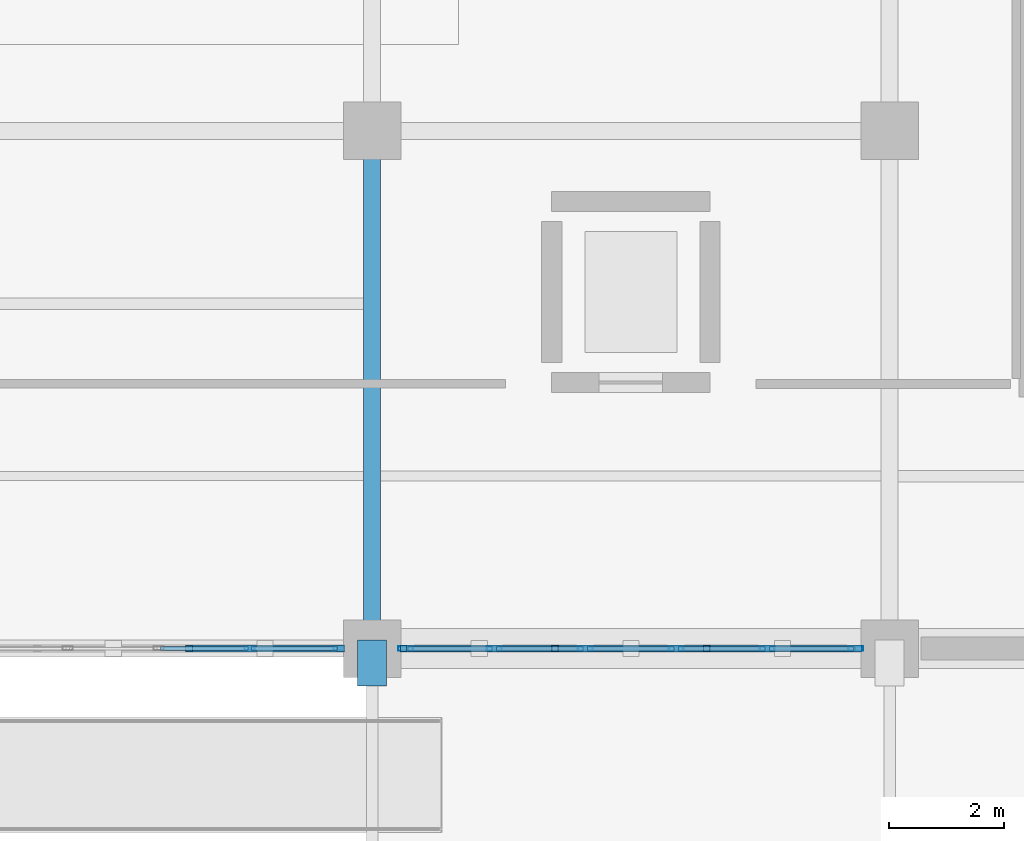
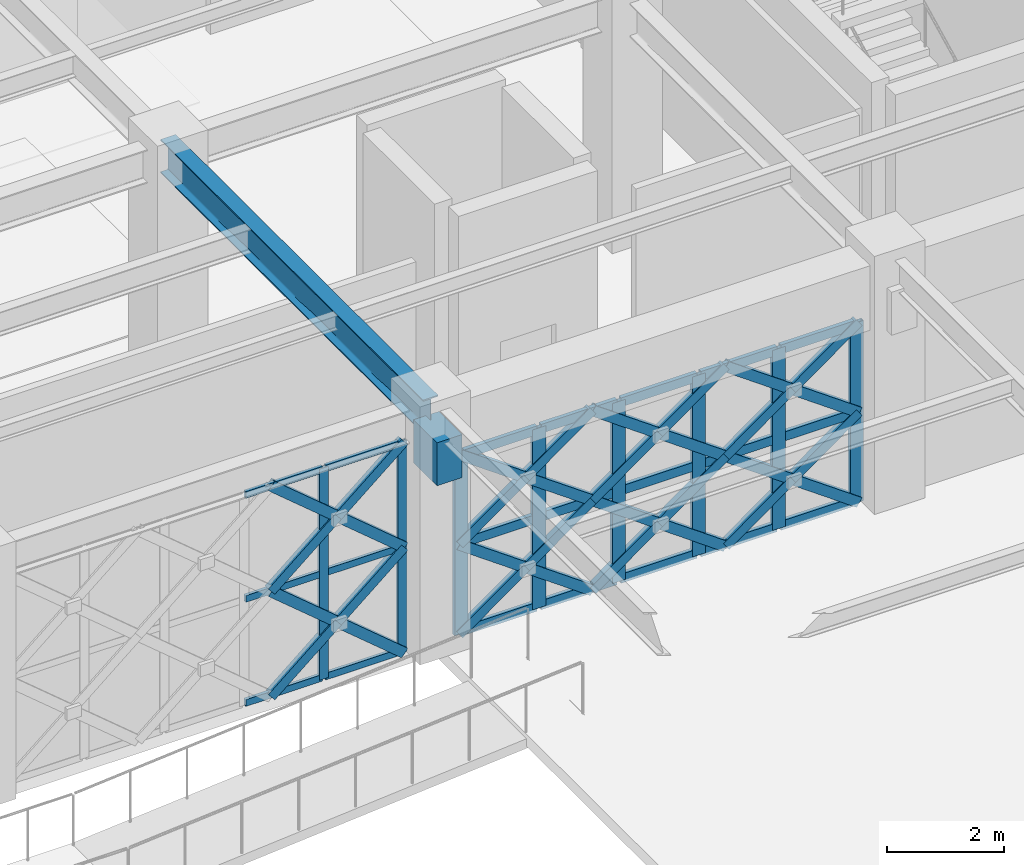
# One storey, part 41 of 140: 53 members, 2 beams, 2 elements without a shape of their own.
"""IFC4 building model written with IfcOpenShell, lengths in metres."""

from ifc_helpers import new_model, si_unit, direction, frame, origin, origin_2d, place, context, subcontext, project, spatial, rectangle, hollow_rectangle, i_section, extrude, material, material_profile, profile_set, type_object, element, aggregate, save


model = new_model("IFC4")

# Units and contexts
model_context = context("Model", 3, precision=1e-05, world=origin(), true_north=direction((0.0, 1.0)))
body_context = subcontext(model_context, "Body", "Model", "MODEL_VIEW")
ifc_project = project(units=[si_unit("LENGTHUNIT", "METRE"), si_unit("AREAUNIT", "SQUARE_METRE"), si_unit("VOLUMEUNIT", "CUBIC_METRE"), si_unit("PLANEANGLEUNIT", "RADIAN"), si_unit("MASSUNIT", "GRAM", prefix="KILO")], contexts=[model_context])

# Site, building, storey
site_placement = place(None, origin())
site = spatial("IfcSite", under=ifc_project, at=site_placement, CompositionType="ELEMENT")
building_placement = place(site_placement, origin())
building = spatial("IfcBuilding", under=site, at=building_placement, Name="Haizhuo Lancet Aquarium", CompositionType="ELEMENT")
storey_placement = place(building_placement, origin())
storey = spatial("IfcBuildingStorey", under=building, at=storey_placement, Name="L00", CompositionType="ELEMENT", Elevation=0.0)

# Beams
ifc_material_1 = material(Name="Concrete C40/50", Category="concrete")
ifc_material_profile_1 = material_profile(ifc_material_1, rectangle(XDim=0.5, YDim=0.89990234375, at=origin_2d()), Name="RC-BM 500x900")
ifc_profile_set_1 = profile_set([ifc_material_profile_1], Name="Concrete C40/50")
beam_type_1 = type_object("IfcBeamType", Name="BM-RC-500x900", PredefinedType="BEAM", material=ifc_profile_set_1)
beam_1_placement = place(storey_placement, frame((-63.0, 9.14990234375, 4.205078125), z_axis=(0.0, -1.0, 0.0), x_axis=(1.0, 0.0, 0.0)))
element("IfcBeam", 1, at=beam_1_placement, inside=storey, type_object=beam_type_1, Name="Reinforced concrete bridge bearing corbel SB-01 1N", PredefinedType="BEAM", context=body_context, shape_type="SweptSolid", body=[
    extrude(rectangle(XDim=0.5, YDim=0.89990234375, at=origin_2d()), origin(), (0.0, 0.0, 1.0), 0.7998046875),
])
ifc_material_2 = material(Name="Steel S355", Category="steel")
ifc_material_profile_2 = material_profile(ifc_material_2, i_section(OverallWidth=0.300048828125, OverallDepth=0.699951171875, WebThickness=0.012939453125, FlangeThickness=0.02392578125, FilletRadius=0.02587890625, at=origin_2d()), Name="HN 700x300x13x24")
ifc_profile_set_2 = profile_set([ifc_material_profile_2], Name="Steel S355")
beam_type_2 = type_object("IfcBeamType", Name="BM-ST-HN700", PredefinedType="BEAM", material=ifc_profile_set_2)
beam_2_placement = place(storey_placement, frame((-63.0, 9.0, 4.77001953125), z_axis=(0.0, 1.0, 0.0), x_axis=(-1.0, 0.0, 0.0)))
element("IfcBeam", 2, at=beam_2_placement, inside=storey, type_object=beam_type_2, Name="L00 V2 primary girder BM-L00-V2-009", PredefinedType="BEAM", context=body_context, shape_type="SweptSolid", body=[
    extrude(i_section(OverallWidth=0.300048828125, OverallDepth=0.699951171875, WebThickness=0.012939453125, FlangeThickness=0.02392578125, FilletRadius=0.02587890625, at=origin_2d()), origin(), (0.0, 0.0, 1.0), 9.0),
])

# Curtain wall, members
ifc_material_3 = material(Name="Aluminium 6063-T6", Category="aluminium")
curtain_wall_type_1 = type_object("IfcCurtainWallType", Name="CWO-7910x4420", PredefinedType="NOTDEFINED", material=ifc_material_3)
curtain_wall_1_placement = place(storey_placement, origin())
curtain_wall_1 = element("IfcCurtainWall", 3, at=curtain_wall_1_placement, inside=storey, type_object=curtain_wall_type_1, Name="L00 curtain wall CW-V2-L00-019", PredefinedType="NOTDEFINED")
ifc_material_profile_3 = material_profile(ifc_material_3, hollow_rectangle(XDim=0.06494140625, YDim=0.179931640625, WallThickness=0.00390625, at=origin_2d()), Name="ALU-M 65x180x4")
ifc_profile_set_3 = profile_set([ifc_material_profile_3], Name="Aluminium 6063-T6")
member_type_1 = type_object("IfcMemberType", Name="CW-MUL-1", PredefinedType="MULLION", material=ifc_profile_set_3)
member_1_placement = place(storey_placement, frame((-63.577880859375, 9.0, 0.0), z_axis=(0.0, 0.0, 1.0), x_axis=(0.0, -1.0, 0.0)))
member_1 = element("IfcMember", 4, at=member_1_placement, type_object=member_type_1, Name="CWO-79x44 mullion 1", PredefinedType="MULLION", context=body_context, shape_type="SweptSolid", body=[
    extrude(hollow_rectangle(XDim=0.06494140625, YDim=0.179931640625, WallThickness=0.00390625, at=origin_2d()), origin(), (0.0, 0.0, 1.0), 4.419921875),
])
member_2_placement = place(storey_placement, frame((-65.126953125, 9.0, 0.0), z_axis=(0.0, 0.0, 1.0), x_axis=(0.0, -1.0, 0.0)))
member_2 = element("IfcMember", 5, at=member_2_placement, type_object=member_type_1, Name="CWO-79x44 mullion 2", PredefinedType="MULLION", context=body_context, shape_type="SweptSolid", body=[
    extrude(hollow_rectangle(XDim=0.06494140625, YDim=0.179931640625, WallThickness=0.00390625, at=origin_2d()), origin(), (0.0, 0.0, 1.0), 4.419921875),
])

curtain_wall_type_2 = type_object("IfcCurtainWallType", Name="CWO-7910x3770", PredefinedType="NOTDEFINED", material=ifc_material_3)
curtain_wall_2_placement = place(storey_placement, origin())
curtain_wall_2 = element("IfcCurtainWall", 6, at=curtain_wall_2_placement, inside=storey, type_object=curtain_wall_type_2, Name="L00 curtain wall CW-V2-L00-018", PredefinedType="NOTDEFINED")
ifc_material_profile_4 = material_profile(ifc_material_3, hollow_rectangle(XDim=0.080078125, YDim=0.260009765625, WallThickness=0.0048828125, at=origin_2d()), Name="ALU-M 80x260x5")
ifc_profile_set_4 = profile_set([ifc_material_profile_4], Name="Aluminium 6063-T6")
member_type_2 = type_object("IfcMemberType", Name="CW-MUL-3", PredefinedType="MULLION", material=ifc_profile_set_4)
member_3_placement = place(storey_placement, frame((-54.5849609375, 9.0, 0.0), z_axis=(0.0, 0.0, 1.0), x_axis=(0.0, -1.0, 0.0)))
member_3 = element("IfcMember", 7, at=member_3_placement, type_object=member_type_2, Name="CWO-79x37 mullion 1", PredefinedType="MULLION", context=body_context, shape_type="SweptSolid", body=[
    extrude(hollow_rectangle(XDim=0.080078125, YDim=0.260009765625, WallThickness=0.0048828125, at=origin_2d()), origin(), (0.0, 0.0, 1.0), 3.77001953125),
])
member_4_placement = place(storey_placement, frame((-56.126953125, 9.0, 0.0), z_axis=(0.0, 0.0, 1.0), x_axis=(0.0, -1.0, 0.0)))
member_4 = element("IfcMember", 8, at=member_4_placement, type_object=member_type_2, Name="CWO-79x37 mullion 2", PredefinedType="MULLION", context=body_context, shape_type="SweptSolid", body=[
    extrude(hollow_rectangle(XDim=0.080078125, YDim=0.260009765625, WallThickness=0.0048828125, at=origin_2d()), origin(), (0.0, 0.0, 1.0), 3.77001953125),
])
member_5_placement = place(storey_placement, frame((-57.708984375, 9.0, 0.0), z_axis=(0.0, 0.0, 1.0), x_axis=(0.0, -1.0, 0.0)))
member_5 = element("IfcMember", 9, at=member_5_placement, type_object=member_type_2, Name="CWO-79x37 mullion 3", PredefinedType="MULLION", context=body_context, shape_type="SweptSolid", body=[
    extrude(hollow_rectangle(XDim=0.080078125, YDim=0.260009765625, WallThickness=0.0048828125, at=origin_2d()), origin(), (0.0, 0.0, 1.0), 3.77001953125),
])
member_6_placement = place(storey_placement, frame((-59.291015625, 9.0, 0.0), z_axis=(0.0, 0.0, 1.0), x_axis=(0.0, -1.0, 0.0)))
member_6 = element("IfcMember", 10, at=member_6_placement, type_object=member_type_2, Name="CWO-79x37 mullion 4", PredefinedType="MULLION", context=body_context, shape_type="SweptSolid", body=[
    extrude(hollow_rectangle(XDim=0.080078125, YDim=0.260009765625, WallThickness=0.0048828125, at=origin_2d()), origin(), (0.0, 0.0, 1.0), 3.77001953125),
])
member_7_placement = place(storey_placement, frame((-60.873046875, 9.0, 0.0), z_axis=(0.0, 0.0, 1.0), x_axis=(0.0, -1.0, 0.0)))
member_7 = element("IfcMember", 11, at=member_7_placement, type_object=member_type_2, Name="CWO-79x37 mullion 5", PredefinedType="MULLION", context=body_context, shape_type="SweptSolid", body=[
    extrude(hollow_rectangle(XDim=0.080078125, YDim=0.260009765625, WallThickness=0.0048828125, at=origin_2d()), origin(), (0.0, 0.0, 1.0), 3.77001953125),
])
member_8_placement = place(storey_placement, frame((-62.4150390625, 9.0, 0.0), z_axis=(0.0, 0.0, 1.0), x_axis=(0.0, -1.0, 0.0)))
member_8 = element("IfcMember", 12, at=member_8_placement, type_object=member_type_2, Name="CWO-79x37 mullion 6", PredefinedType="MULLION", context=body_context, shape_type="SweptSolid", body=[
    extrude(hollow_rectangle(XDim=0.080078125, YDim=0.260009765625, WallThickness=0.0048828125, at=origin_2d()), origin(), (0.0, 0.0, 1.0), 3.77001953125),
])

# Member
ifc_material_profile_5 = material_profile(ifc_material_3, hollow_rectangle(XDim=0.06494140625, YDim=0.139892578125, WallThickness=0.00390625, at=origin_2d()), Name="ALU-T 65x140x4")
ifc_profile_set_5 = profile_set([ifc_material_profile_5], Name="Aluminium 6063-T6")
member_type_3 = type_object("IfcMemberType", Name="CW-TRN-1", PredefinedType="NOTDEFINED", material=ifc_profile_set_5)
member_9_placement = place(storey_placement, frame((-63.610107421875, 9.0, 0.032958984375), z_axis=(-1.0, 0.0, 0.0), x_axis=(0.0, -1.0, 0.0)))
member_9 = element("IfcMember", 13, at=member_9_placement, type_object=member_type_3, Name="CWO-79x44 transom 1.1", ObjectType="TRANSOM", PredefinedType="USERDEFINED", context=body_context, shape_type="SweptSolid", body=[
    extrude(hollow_rectangle(XDim=0.06494140625, YDim=0.139892578125, WallThickness=0.00390625, at=origin_2d()), origin(), (0.0, 0.0, 1.0), 1.48388671875),
])

member_10_placement = place(storey_placement, frame((-63.610107421875, 9.0, 2.2099609375), z_axis=(-1.0, 0.0, 0.0), x_axis=(0.0, -1.0, 0.0)))
member_10 = element("IfcMember", 14, at=member_10_placement, type_object=member_type_3, Name="CWO-79x44 transom 1.2", ObjectType="TRANSOM", PredefinedType="USERDEFINED", context=body_context, shape_type="SweptSolid", body=[
    extrude(hollow_rectangle(XDim=0.06494140625, YDim=0.139892578125, WallThickness=0.00390625, at=origin_2d()), origin(), (0.0, 0.0, 1.0), 1.48388671875),
])

member_11_placement = place(storey_placement, frame((-63.610107421875, 9.0, 4.387939453125), z_axis=(-1.0, 0.0, 0.0), x_axis=(0.0, -1.0, 0.0)))
member_11 = element("IfcMember", 15, at=member_11_placement, type_object=member_type_3, Name="CWO-79x44 transom 1.3", ObjectType="TRANSOM", PredefinedType="USERDEFINED", context=body_context, shape_type="SweptSolid", body=[
    extrude(hollow_rectangle(XDim=0.06494140625, YDim=0.139892578125, WallThickness=0.00390625, at=origin_2d()), origin(), (0.0, 0.0, 1.0), 1.48388671875),
])

member_12_placement = place(storey_placement, frame((-65.158935546875, 9.0, 0.032958984375), z_axis=(-1.0, 0.0, 0.0), x_axis=(0.0, -1.0, 0.0)))
member_12 = element("IfcMember", 16, at=member_12_placement, type_object=member_type_3, Name="CWO-79x44 transom 2.1", ObjectType="TRANSOM", PredefinedType="USERDEFINED", context=body_context, shape_type="SweptSolid", body=[
    extrude(hollow_rectangle(XDim=0.06494140625, YDim=0.139892578125, WallThickness=0.00390625, at=origin_2d()), origin(), (0.0, 0.0, 1.0), 1.51806640625),
])

member_13_placement = place(storey_placement, frame((-65.158935546875, 9.0, 2.2099609375), z_axis=(-1.0, 0.0, 0.0), x_axis=(0.0, -1.0, 0.0)))
member_13 = element("IfcMember", 17, at=member_13_placement, type_object=member_type_3, Name="CWO-79x44 transom 2.2", ObjectType="TRANSOM", PredefinedType="USERDEFINED", context=body_context, shape_type="SweptSolid", body=[
    extrude(hollow_rectangle(XDim=0.06494140625, YDim=0.139892578125, WallThickness=0.00390625, at=origin_2d()), origin(), (0.0, 0.0, 1.0), 1.51806640625),
])

member_14_placement = place(storey_placement, frame((-65.158935546875, 9.0, 4.387939453125), z_axis=(-1.0, 0.0, 0.0), x_axis=(0.0, -1.0, 0.0)))
member_14 = element("IfcMember", 18, at=member_14_placement, type_object=member_type_3, Name="CWO-79x44 transom 2.3", ObjectType="TRANSOM", PredefinedType="USERDEFINED", context=body_context, shape_type="SweptSolid", body=[
    extrude(hollow_rectangle(XDim=0.06494140625, YDim=0.139892578125, WallThickness=0.00390625, at=origin_2d()), origin(), (0.0, 0.0, 1.0), 1.51806640625),
])

aggregate(curtain_wall_1, [member_1, member_2, member_9, member_10, member_11, member_12, member_13, member_14])

ifc_material_profile_6 = material_profile(ifc_material_3, hollow_rectangle(XDim=0.080078125, YDim=0.18994140625, WallThickness=0.0048828125, at=origin_2d()), Name="ALU-T 80x190x5")
ifc_profile_set_6 = profile_set([ifc_material_profile_6], Name="Aluminium 6063-T6")
member_type_4 = type_object("IfcMemberType", Name="CW-TRN-3", PredefinedType="NOTDEFINED", material=ifc_profile_set_6)
member_15_placement = place(storey_placement, frame((-54.625, 9.0, 0.0400390625), z_axis=(-1.0, 0.0, 0.0), x_axis=(0.0, -1.0, 0.0)))
member_15 = element("IfcMember", 19, at=member_15_placement, type_object=member_type_4, Name="CWO-79x37 transom 1.1", ObjectType="TRANSOM", PredefinedType="USERDEFINED", context=body_context, shape_type="SweptSolid", body=[
    extrude(hollow_rectangle(XDim=0.080078125, YDim=0.18994140625, WallThickness=0.0048828125, at=origin_2d()), origin(), (0.0, 0.0, 1.0), 1.4619140625),
])

member_16_placement = place(storey_placement, frame((-54.625, 9.0, 1.885009765625), z_axis=(-1.0, 0.0, 0.0), x_axis=(0.0, -1.0, 0.0)))
member_16 = element("IfcMember", 20, at=member_16_placement, type_object=member_type_4, Name="CWO-79x37 transom 1.2", ObjectType="TRANSOM", PredefinedType="USERDEFINED", context=body_context, shape_type="SweptSolid", body=[
    extrude(hollow_rectangle(XDim=0.080078125, YDim=0.18994140625, WallThickness=0.0048828125, at=origin_2d()), origin(), (0.0, 0.0, 1.0), 1.4619140625),
])

member_17_placement = place(storey_placement, frame((-54.625, 9.0, 3.72998046875), z_axis=(-1.0, 0.0, 0.0), x_axis=(0.0, -1.0, 0.0)))
member_17 = element("IfcMember", 21, at=member_17_placement, type_object=member_type_4, Name="CWO-79x37 transom 1.3", ObjectType="TRANSOM", PredefinedType="USERDEFINED", context=body_context, shape_type="SweptSolid", body=[
    extrude(hollow_rectangle(XDim=0.080078125, YDim=0.18994140625, WallThickness=0.0048828125, at=origin_2d()), origin(), (0.0, 0.0, 1.0), 1.4619140625),
])

member_18_placement = place(storey_placement, frame((-56.1669921875, 9.0, 0.0400390625), z_axis=(-1.0, 0.0, 0.0), x_axis=(0.0, -1.0, 0.0)))
member_18 = element("IfcMember", 22, at=member_18_placement, type_object=member_type_4, Name="CWO-79x37 transom 2.1", ObjectType="TRANSOM", PredefinedType="USERDEFINED", context=body_context, shape_type="SweptSolid", body=[
    extrude(hollow_rectangle(XDim=0.080078125, YDim=0.18994140625, WallThickness=0.0048828125, at=origin_2d()), origin(), (0.0, 0.0, 1.0), 1.501953125),
])

member_19_placement = place(storey_placement, frame((-56.1669921875, 9.0, 1.885009765625), z_axis=(-1.0, 0.0, 0.0), x_axis=(0.0, -1.0, 0.0)))
member_19 = element("IfcMember", 23, at=member_19_placement, type_object=member_type_4, Name="CWO-79x37 transom 2.2", ObjectType="TRANSOM", PredefinedType="USERDEFINED", context=body_context, shape_type="SweptSolid", body=[
    extrude(hollow_rectangle(XDim=0.080078125, YDim=0.18994140625, WallThickness=0.0048828125, at=origin_2d()), origin(), (0.0, 0.0, 1.0), 1.501953125),
])

member_20_placement = place(storey_placement, frame((-56.1669921875, 9.0, 3.72998046875), z_axis=(-1.0, 0.0, 0.0), x_axis=(0.0, -1.0, 0.0)))
member_20 = element("IfcMember", 24, at=member_20_placement, type_object=member_type_4, Name="CWO-79x37 transom 2.3", ObjectType="TRANSOM", PredefinedType="USERDEFINED", context=body_context, shape_type="SweptSolid", body=[
    extrude(hollow_rectangle(XDim=0.080078125, YDim=0.18994140625, WallThickness=0.0048828125, at=origin_2d()), origin(), (0.0, 0.0, 1.0), 1.501953125),
])

member_21_placement = place(storey_placement, frame((-57.7490234375, 9.0, 0.0400390625), z_axis=(-1.0, 0.0, 0.0), x_axis=(0.0, -1.0, 0.0)))
member_21 = element("IfcMember", 25, at=member_21_placement, type_object=member_type_4, Name="CWO-79x37 transom 3.1", ObjectType="TRANSOM", PredefinedType="USERDEFINED", context=body_context, shape_type="SweptSolid", body=[
    extrude(hollow_rectangle(XDim=0.080078125, YDim=0.18994140625, WallThickness=0.0048828125, at=origin_2d()), origin(), (0.0, 0.0, 1.0), 1.501953125),
])

member_22_placement = place(storey_placement, frame((-57.7490234375, 9.0, 1.885009765625), z_axis=(-1.0, 0.0, 0.0), x_axis=(0.0, -1.0, 0.0)))
member_22 = element("IfcMember", 26, at=member_22_placement, type_object=member_type_4, Name="CWO-79x37 transom 3.2", ObjectType="TRANSOM", PredefinedType="USERDEFINED", context=body_context, shape_type="SweptSolid", body=[
    extrude(hollow_rectangle(XDim=0.080078125, YDim=0.18994140625, WallThickness=0.0048828125, at=origin_2d()), origin(), (0.0, 0.0, 1.0), 1.501953125),
])

member_23_placement = place(storey_placement, frame((-57.7490234375, 9.0, 3.72998046875), z_axis=(-1.0, 0.0, 0.0), x_axis=(0.0, -1.0, 0.0)))
member_23 = element("IfcMember", 27, at=member_23_placement, type_object=member_type_4, Name="CWO-79x37 transom 3.3", ObjectType="TRANSOM", PredefinedType="USERDEFINED", context=body_context, shape_type="SweptSolid", body=[
    extrude(hollow_rectangle(XDim=0.080078125, YDim=0.18994140625, WallThickness=0.0048828125, at=origin_2d()), origin(), (0.0, 0.0, 1.0), 1.501953125),
])

member_24_placement = place(storey_placement, frame((-59.3310546875, 9.0, 0.0400390625), z_axis=(-1.0, 0.0, 0.0), x_axis=(0.0, -1.0, 0.0)))
member_24 = element("IfcMember", 28, at=member_24_placement, type_object=member_type_4, Name="CWO-79x37 transom 4.1", ObjectType="TRANSOM", PredefinedType="USERDEFINED", context=body_context, shape_type="SweptSolid", body=[
    extrude(hollow_rectangle(XDim=0.080078125, YDim=0.18994140625, WallThickness=0.0048828125, at=origin_2d()), origin(), (0.0, 0.0, 1.0), 1.501953125),
])

member_25_placement = place(storey_placement, frame((-59.3310546875, 9.0, 1.885009765625), z_axis=(-1.0, 0.0, 0.0), x_axis=(0.0, -1.0, 0.0)))
member_25 = element("IfcMember", 29, at=member_25_placement, type_object=member_type_4, Name="CWO-79x37 transom 4.2", ObjectType="TRANSOM", PredefinedType="USERDEFINED", context=body_context, shape_type="SweptSolid", body=[
    extrude(hollow_rectangle(XDim=0.080078125, YDim=0.18994140625, WallThickness=0.0048828125, at=origin_2d()), origin(), (0.0, 0.0, 1.0), 1.501953125),
])

member_26_placement = place(storey_placement, frame((-59.3310546875, 9.0, 3.72998046875), z_axis=(-1.0, 0.0, 0.0), x_axis=(0.0, -1.0, 0.0)))
member_26 = element("IfcMember", 30, at=member_26_placement, type_object=member_type_4, Name="CWO-79x37 transom 4.3", ObjectType="TRANSOM", PredefinedType="USERDEFINED", context=body_context, shape_type="SweptSolid", body=[
    extrude(hollow_rectangle(XDim=0.080078125, YDim=0.18994140625, WallThickness=0.0048828125, at=origin_2d()), origin(), (0.0, 0.0, 1.0), 1.501953125),
])

member_27_placement = place(storey_placement, frame((-60.9130859375, 9.0, 0.0400390625), z_axis=(-1.0, 0.0, 0.0), x_axis=(0.0, -1.0, 0.0)))
member_27 = element("IfcMember", 31, at=member_27_placement, type_object=member_type_4, Name="CWO-79x37 transom 5.1", ObjectType="TRANSOM", PredefinedType="USERDEFINED", context=body_context, shape_type="SweptSolid", body=[
    extrude(hollow_rectangle(XDim=0.080078125, YDim=0.18994140625, WallThickness=0.0048828125, at=origin_2d()), origin(), (0.0, 0.0, 1.0), 1.4619140625),
])

member_28_placement = place(storey_placement, frame((-60.9130859375, 9.0, 1.885009765625), z_axis=(-1.0, 0.0, 0.0), x_axis=(0.0, -1.0, 0.0)))
member_28 = element("IfcMember", 32, at=member_28_placement, type_object=member_type_4, Name="CWO-79x37 transom 5.2", ObjectType="TRANSOM", PredefinedType="USERDEFINED", context=body_context, shape_type="SweptSolid", body=[
    extrude(hollow_rectangle(XDim=0.080078125, YDim=0.18994140625, WallThickness=0.0048828125, at=origin_2d()), origin(), (0.0, 0.0, 1.0), 1.4619140625),
])

member_29_placement = place(storey_placement, frame((-60.9130859375, 9.0, 3.72998046875), z_axis=(-1.0, 0.0, 0.0), x_axis=(0.0, -1.0, 0.0)))
member_29 = element("IfcMember", 33, at=member_29_placement, type_object=member_type_4, Name="CWO-79x37 transom 5.3", ObjectType="TRANSOM", PredefinedType="USERDEFINED", context=body_context, shape_type="SweptSolid", body=[
    extrude(hollow_rectangle(XDim=0.080078125, YDim=0.18994140625, WallThickness=0.0048828125, at=origin_2d()), origin(), (0.0, 0.0, 1.0), 1.4619140625),
])

aggregate(curtain_wall_2, [member_3, member_4, member_5, member_6, member_7, member_8, member_15, member_16, member_17, member_18, member_19, member_20, member_21, member_22, member_23, member_24, member_25, member_26, member_27, member_28, member_29])

# Members
ifc_material_profile_7 = material_profile(ifc_material_2, hollow_rectangle(XDim=0.1201171875, YDim=0.199951171875, WallThickness=0.008056640625, at=origin_2d()), Name="RHS 120x200x8")
ifc_profile_set_7 = profile_set([ifc_material_profile_7], Name="Steel S355")
member_type_5 = type_object("IfcMemberType", Name="MEM-LB-RHS120x200", PredefinedType="BRACE", material=ifc_profile_set_7)
member_30_placement = place(storey_placement, frame((-54.544921875, 9.0, 0.0), z_axis=(-0.8135196733, 0.0, 0.581537394459), x_axis=(0.0, -1.0, 0.0)))
element("IfcMember", 34, at=member_30_placement, inside=storey, type_object=member_type_5, Name="Gothic lancet continuous diagonal brace CW-V2-L00-018 1A", PredefinedType="BRACE", context=body_context, shape_type="SweptSolid", body=[
    extrude(hollow_rectangle(XDim=0.1201171875, YDim=0.199951171875, WallThickness=0.008056640625, at=origin_2d()), origin(), (0.0, 0.0, 1.0), 3.241455078125),
])
member_31_placement = place(storey_placement, frame((-57.181884765625, 9.0, 0.0), z_axis=(0.813214011492, 0.0, 0.581964751092), x_axis=(0.0, 1.0, 0.0)))
element("IfcMember", 35, at=member_31_placement, inside=storey, type_object=member_type_5, Name="Gothic lancet split diagonal brace CW-V2-L00-018 1B1", PredefinedType="BRACE", context=body_context, shape_type="SweptSolid", body=[
    extrude(hollow_rectangle(XDim=0.1201171875, YDim=0.199951171875, WallThickness=0.008056640625, at=origin_2d()), origin(), (0.0, 0.0, 1.0), 1.62060546875),
])
member_32_placement = place(storey_placement, frame((-55.864013671875, 9.0, 0.943115234375), z_axis=(0.813825057182, 0.0, 0.581109951991), x_axis=(0.0, 1.0, 0.0)))
element("IfcMember", 36, at=member_32_placement, inside=storey, type_object=member_type_5, Name="Gothic lancet split diagonal brace CW-V2-L00-018 1B2", PredefinedType="BRACE", context=body_context, shape_type="SweptSolid", body=[
    extrude(hollow_rectangle(XDim=0.1201171875, YDim=0.199951171875, WallThickness=0.008056640625, at=origin_2d()), origin(), (0.0, 0.0, 1.0), 1.620849609375),
])
member_33_placement = place(storey_placement, frame((-54.544921875, 9.0, 1.885009765625), z_axis=(-0.8135196733, 0.0, 0.581537394459), x_axis=(0.0, -1.0, 0.0)))
element("IfcMember", 37, at=member_33_placement, inside=storey, type_object=member_type_5, Name="Gothic lancet continuous diagonal brace CW-V2-L00-018 2A", PredefinedType="BRACE", context=body_context, shape_type="SweptSolid", body=[
    extrude(hollow_rectangle(XDim=0.1201171875, YDim=0.199951171875, WallThickness=0.008056640625, at=origin_2d()), origin(), (0.0, 0.0, 1.0), 3.241455078125),
])
member_34_placement = place(storey_placement, frame((-57.181884765625, 9.0, 1.885009765625), z_axis=(0.813285309008, 0.0, 0.581865109928), x_axis=(0.0, 1.0, 0.0)))
element("IfcMember", 38, at=member_34_placement, inside=storey, type_object=member_type_5, Name="Gothic lancet split diagonal brace CW-V2-L00-018 2B1", PredefinedType="BRACE", context=body_context, shape_type="SweptSolid", body=[
    extrude(hollow_rectangle(XDim=0.1201171875, YDim=0.199951171875, WallThickness=0.008056640625, at=origin_2d()), origin(), (0.0, 0.0, 1.0), 1.620361328125),
])
member_35_placement = place(storey_placement, frame((-55.864013671875, 9.0, 2.827880859375), z_axis=(0.81375382361, 0.0, 0.581209699299), x_axis=(0.0, 1.0, 0.0)))
element("IfcMember", 39, at=member_35_placement, inside=storey, type_object=member_type_5, Name="Gothic lancet split diagonal brace CW-V2-L00-018 2B2", PredefinedType="BRACE", context=body_context, shape_type="SweptSolid", body=[
    extrude(hollow_rectangle(XDim=0.1201171875, YDim=0.199951171875, WallThickness=0.008056640625, at=origin_2d()), origin(), (0.0, 0.0, 1.0), 1.62109375),
])
member_36_placement = place(storey_placement, frame((-57.181884765625, 9.0, 0.0), z_axis=(-0.813443236869, 0.0, 0.581644307452), x_axis=(0.0, -1.0, 0.0)))
element("IfcMember", 40, at=member_36_placement, inside=storey, type_object=member_type_5, Name="Gothic lancet continuous diagonal brace CW-V2-L00-018 3A", PredefinedType="BRACE", context=body_context, shape_type="SweptSolid", body=[
    extrude(hollow_rectangle(XDim=0.1201171875, YDim=0.199951171875, WallThickness=0.008056640625, at=origin_2d()), origin(), (0.0, 0.0, 1.0), 3.24072265625),
])
member_37_placement = place(storey_placement, frame((-59.818115234375, 9.0, 0.0), z_axis=(0.81326502504, 0.0, 0.58189346022), x_axis=(0.0, 1.0, 0.0)))
element("IfcMember", 41, at=member_37_placement, inside=storey, type_object=member_type_5, Name="Gothic lancet split diagonal brace CW-V2-L00-018 3B1", PredefinedType="BRACE", context=body_context, shape_type="SweptSolid", body=[
    extrude(hollow_rectangle(XDim=0.1201171875, YDim=0.199951171875, WallThickness=0.008056640625, at=origin_2d()), origin(), (0.0, 0.0, 1.0), 1.620849609375),
])
member_38_placement = place(storey_placement, frame((-58.5, 9.0, 0.943115234375), z_axis=(0.813621450422, 0.0, 0.581394990874), x_axis=(0.0, 1.0, 0.0)))
element("IfcMember", 42, at=member_38_placement, inside=storey, type_object=member_type_5, Name="Gothic lancet split diagonal brace CW-V2-L00-018 3B2", PredefinedType="BRACE", context=body_context, shape_type="SweptSolid", body=[
    extrude(hollow_rectangle(XDim=0.1201171875, YDim=0.199951171875, WallThickness=0.008056640625, at=origin_2d()), origin(), (0.0, 0.0, 1.0), 1.6201171875),
])
member_39_placement = place(storey_placement, frame((-57.181884765625, 9.0, 1.885009765625), z_axis=(-0.813443236869, 0.0, 0.581644307452), x_axis=(0.0, -1.0, 0.0)))
element("IfcMember", 43, at=member_39_placement, inside=storey, type_object=member_type_5, Name="Gothic lancet continuous diagonal brace CW-V2-L00-018 4A", PredefinedType="BRACE", context=body_context, shape_type="SweptSolid", body=[
    extrude(hollow_rectangle(XDim=0.1201171875, YDim=0.199951171875, WallThickness=0.008056640625, at=origin_2d()), origin(), (0.0, 0.0, 1.0), 3.24072265625),
])
member_40_placement = place(storey_placement, frame((-59.818115234375, 9.0, 1.885009765625), z_axis=(0.813336309559, 0.0, 0.581793818766), x_axis=(0.0, 1.0, 0.0)))
element("IfcMember", 44, at=member_40_placement, inside=storey, type_object=member_type_5, Name="Gothic lancet split diagonal brace CW-V2-L00-018 4B1", PredefinedType="BRACE", context=body_context, shape_type="SweptSolid", body=[
    extrude(hollow_rectangle(XDim=0.1201171875, YDim=0.199951171875, WallThickness=0.008056640625, at=origin_2d()), origin(), (0.0, 0.0, 1.0), 1.62060546875),
])
member_41_placement = place(storey_placement, frame((-58.5, 9.0, 2.827880859375), z_axis=(0.813550164801, 0.0, 0.581494737167), x_axis=(0.0, 1.0, 0.0)))
element("IfcMember", 45, at=member_41_placement, inside=storey, type_object=member_type_5, Name="Gothic lancet split diagonal brace CW-V2-L00-018 4B2", PredefinedType="BRACE", context=body_context, shape_type="SweptSolid", body=[
    extrude(hollow_rectangle(XDim=0.1201171875, YDim=0.199951171875, WallThickness=0.008056640625, at=origin_2d()), origin(), (0.0, 0.0, 1.0), 1.6201171875),
])
member_42_placement = place(storey_placement, frame((-59.818115234375, 9.0, 0.0), z_axis=(-0.8135196733, 0.0, 0.581537394459), x_axis=(0.0, -1.0, 0.0)))
element("IfcMember", 46, at=member_42_placement, inside=storey, type_object=member_type_5, Name="Gothic lancet continuous diagonal brace CW-V2-L00-018 5A", PredefinedType="BRACE", context=body_context, shape_type="SweptSolid", body=[
    extrude(hollow_rectangle(XDim=0.1201171875, YDim=0.199951171875, WallThickness=0.008056640625, at=origin_2d()), origin(), (0.0, 0.0, 1.0), 3.241455078125),
])
member_43_placement = place(storey_placement, frame((-62.455078125, 9.0, 0.0), z_axis=(0.813468891865, 0.0, 0.581608426665), x_axis=(0.0, 1.0, 0.0)))
element("IfcMember", 47, at=member_43_placement, inside=storey, type_object=member_type_5, Name="Gothic lancet split diagonal brace CW-V2-L00-018 5B1", PredefinedType="BRACE", context=body_context, shape_type="SweptSolid", body=[
    extrude(hollow_rectangle(XDim=0.1201171875, YDim=0.199951171875, WallThickness=0.008056640625, at=origin_2d()), origin(), (0.0, 0.0, 1.0), 1.62158203125),
])
member_44_placement = place(storey_placement, frame((-61.135986328125, 9.0, 0.943115234375), z_axis=(0.813570501909, 0.0, 0.581466283135), x_axis=(0.0, 1.0, 0.0)))
element("IfcMember", 48, at=member_44_placement, inside=storey, type_object=member_type_5, Name="Gothic lancet split diagonal brace CW-V2-L00-018 5B2", PredefinedType="BRACE", context=body_context, shape_type="SweptSolid", body=[
    extrude(hollow_rectangle(XDim=0.1201171875, YDim=0.199951171875, WallThickness=0.008056640625, at=origin_2d()), origin(), (0.0, 0.0, 1.0), 1.619873046875),
])
member_45_placement = place(storey_placement, frame((-59.818115234375, 9.0, 1.885009765625), z_axis=(-0.8135196733, 0.0, 0.581537394459), x_axis=(0.0, -1.0, 0.0)))
element("IfcMember", 49, at=member_45_placement, inside=storey, type_object=member_type_5, Name="Gothic lancet continuous diagonal brace CW-V2-L00-018 6A", PredefinedType="BRACE", context=body_context, shape_type="SweptSolid", body=[
    extrude(hollow_rectangle(XDim=0.1201171875, YDim=0.199951171875, WallThickness=0.008056640625, at=origin_2d()), origin(), (0.0, 0.0, 1.0), 3.241455078125),
])
member_46_placement = place(storey_placement, frame((-62.455078125, 9.0, 1.885009765625), z_axis=(0.813540124408, 0.0, 0.581508784094), x_axis=(0.0, 1.0, 0.0)))
element("IfcMember", 50, at=member_46_placement, inside=storey, type_object=member_type_5, Name="Gothic lancet split diagonal brace CW-V2-L00-018 6B1", PredefinedType="BRACE", context=body_context, shape_type="SweptSolid", body=[
    extrude(hollow_rectangle(XDim=0.1201171875, YDim=0.199951171875, WallThickness=0.008056640625, at=origin_2d()), origin(), (0.0, 0.0, 1.0), 1.621337890625),
])
member_47_placement = place(storey_placement, frame((-61.135986328125, 9.0, 2.827880859375), z_axis=(0.813499203271, 0.0, 0.581566029163), x_axis=(0.0, 1.0, 0.0)))
element("IfcMember", 51, at=member_47_placement, inside=storey, type_object=member_type_5, Name="Gothic lancet split diagonal brace CW-V2-L00-018 6B2", PredefinedType="BRACE", context=body_context, shape_type="SweptSolid", body=[
    extrude(hollow_rectangle(XDim=0.1201171875, YDim=0.199951171875, WallThickness=0.008056640625, at=origin_2d()), origin(), (0.0, 0.0, 1.0), 1.6201171875),
])
member_48_placement = place(storey_placement, frame((-63.544921875, 9.0, 0.0), z_axis=(-0.766432673157, 0.0, 0.642324651182), x_axis=(0.0, -1.0, 0.0)))
element("IfcMember", 52, at=member_48_placement, inside=storey, type_object=member_type_5, Name="Gothic lancet continuous diagonal brace CW-V2-L00-019 1A", PredefinedType="BRACE", context=body_context, shape_type="SweptSolid", body=[
    extrude(hollow_rectangle(XDim=0.1201171875, YDim=0.199951171875, WallThickness=0.008056640625, at=origin_2d()), origin(), (0.0, 0.0, 1.0), 3.440673828125),
])
member_49_placement = place(storey_placement, frame((-66.181884765625, 9.0, 0.0), z_axis=(0.766286230908, 0.0, 0.642499348109), x_axis=(0.0, 1.0, 0.0)))
element("IfcMember", 53, at=member_49_placement, inside=storey, type_object=member_type_5, Name="Gothic lancet split diagonal brace CW-V2-L00-019 1B1", PredefinedType="BRACE", context=body_context, shape_type="SweptSolid", body=[
    extrude(hollow_rectangle(XDim=0.1201171875, YDim=0.199951171875, WallThickness=0.008056640625, at=origin_2d()), origin(), (0.0, 0.0, 1.0), 1.7197265625),
])
member_50_placement = place(storey_placement, frame((-64.864013671875, 9.0, 1.10498046875), z_axis=(0.76657899599, 0.0, 0.64215001589), x_axis=(0.0, 1.0, 0.0)))
element("IfcMember", 54, at=member_50_placement, inside=storey, type_object=member_type_5, Name="Gothic lancet split diagonal brace CW-V2-L00-019 1B2", PredefinedType="BRACE", context=body_context, shape_type="SweptSolid", body=[
    extrude(hollow_rectangle(XDim=0.1201171875, YDim=0.199951171875, WallThickness=0.008056640625, at=origin_2d()), origin(), (0.0, 0.0, 1.0), 1.720703125),
])
member_51_placement = place(storey_placement, frame((-63.544921875, 9.0, 2.2099609375), z_axis=(-0.766432673157, 0.0, 0.642324651182), x_axis=(0.0, -1.0, 0.0)))
element("IfcMember", 55, at=member_51_placement, inside=storey, type_object=member_type_5, Name="Gothic lancet continuous diagonal brace CW-V2-L00-019 2A", PredefinedType="BRACE", context=body_context, shape_type="SweptSolid", body=[
    extrude(hollow_rectangle(XDim=0.1201171875, YDim=0.199951171875, WallThickness=0.008056640625, at=origin_2d()), origin(), (0.0, 0.0, 1.0), 3.440673828125),
])
member_52_placement = place(storey_placement, frame((-66.181884765625, 9.0, 2.2099609375), z_axis=(0.766286230908, 0.0, 0.642499348109), x_axis=(0.0, 1.0, 0.0)))
element("IfcMember", 56, at=member_52_placement, inside=storey, type_object=member_type_5, Name="Gothic lancet split diagonal brace CW-V2-L00-019 2B1", PredefinedType="BRACE", context=body_context, shape_type="SweptSolid", body=[
    extrude(hollow_rectangle(XDim=0.1201171875, YDim=0.199951171875, WallThickness=0.008056640625, at=origin_2d()), origin(), (0.0, 0.0, 1.0), 1.7197265625),
])
member_53_placement = place(storey_placement, frame((-64.864013671875, 9.0, 3.31494140625), z_axis=(0.76657899599, 0.0, 0.64215001589), x_axis=(0.0, 1.0, 0.0)))
element("IfcMember", 57, at=member_53_placement, inside=storey, type_object=member_type_5, Name="Gothic lancet split diagonal brace CW-V2-L00-019 2B2", PredefinedType="BRACE", context=body_context, shape_type="SweptSolid", body=[
    extrude(hollow_rectangle(XDim=0.1201171875, YDim=0.199951171875, WallThickness=0.008056640625, at=origin_2d()), origin(), (0.0, 0.0, 1.0), 1.720703125),
])

save(model, "model.ifc")
